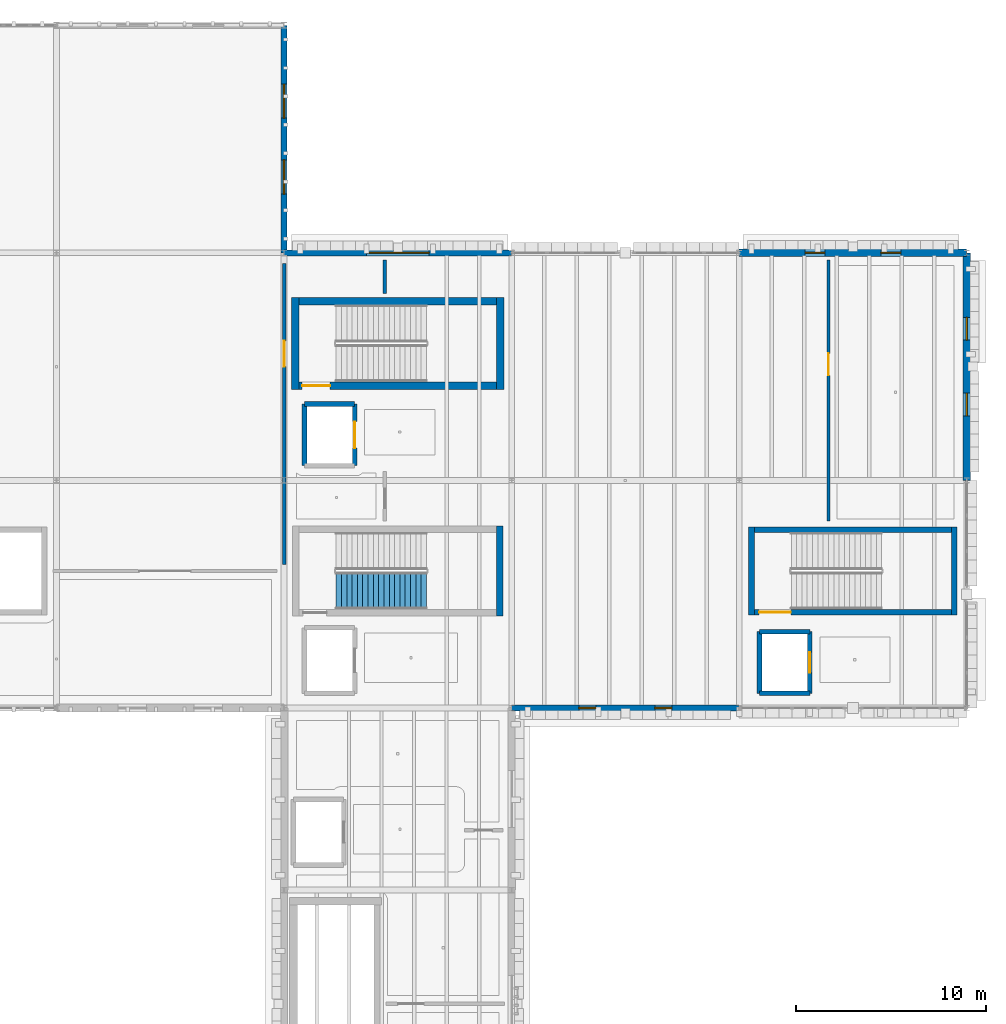
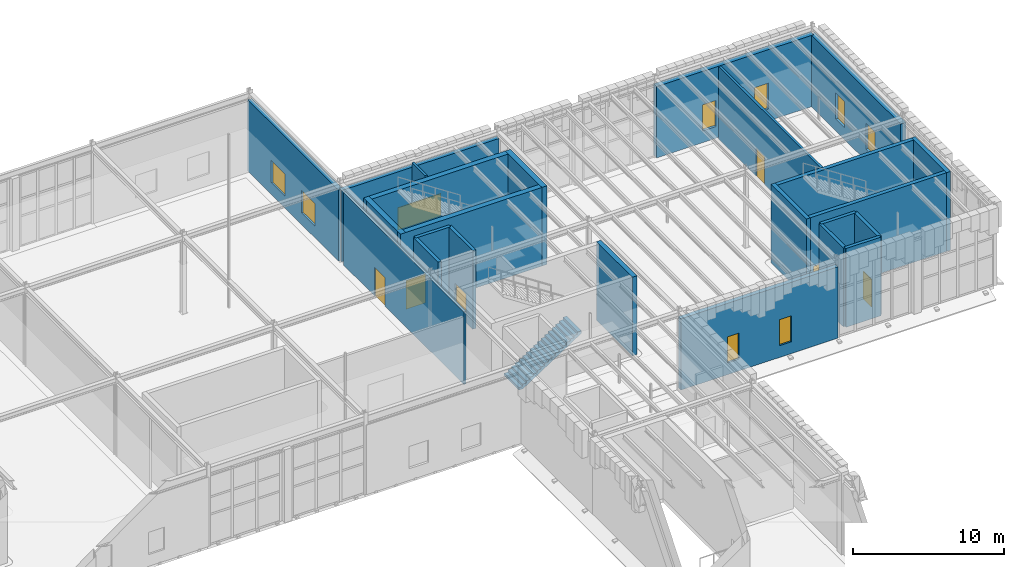
# One storey, part 42 of 62: 24 walls, 9 windows, 6 doors, 1 stair flight, 15 openings, 1 element without a shape of its own.
"""IFC4 building model written with IfcOpenShell, lengths in metres."""

from ifc_helpers import new_model, si_unit, direction, frame, frame_2d, origin, place, context, subcontext, project, spatial, polyline, rectangle, outline, extrude, material, layer, layer_set, type_object, element, fill, aggregate, save


model = new_model("IFC4")

# Units and contexts
model_context = context("Model", 3, precision=1e-05, world=origin(), true_north=direction((0.0, 1.0)))
body_context = subcontext(model_context, "Body", "Model", "MODEL_VIEW")
ifc_project = project(units=[si_unit("LENGTHUNIT", "METRE"), si_unit("AREAUNIT", "SQUARE_METRE"), si_unit("VOLUMEUNIT", "CUBIC_METRE"), si_unit("PLANEANGLEUNIT", "RADIAN"), si_unit("MASSUNIT", "GRAM", prefix="KILO")], contexts=[model_context])

# Site, building, storey
site_placement = place(None, origin())
site = spatial("IfcSite", under=ifc_project, at=site_placement, CompositionType="ELEMENT")
building_placement = place(site_placement, origin())
building = spatial("IfcBuilding", under=site, at=building_placement, Name="Zlatogorsky Bluff Art Gallery", CompositionType="ELEMENT")
storey_placement = place(building_placement, frame((0.0, 0.0, 16.800048828125)))
storey = spatial("IfcBuildingStorey", under=building, at=storey_placement, Name="L03", CompositionType="ELEMENT", Elevation=16.800048828125)

# Wall, openings, windows
ifc_material_1 = material(Name="Precast concrete C40/50", Category="concrete")
ifc_layer_1 = layer(ifc_material_1, 0.39990234375)
ifc_layer_set_1 = layer_set([ifc_layer_1], Name="Exterior Wall EW-02 400mm")
wall_type_1 = type_object("IfcWallType", Name="Exterior Wall EW-02 400mm", PredefinedType="SOLIDWALL", material=ifc_layer_set_1)
wall_1_placement = place(storey_placement, frame((156.0, 108.0, 0.0), z_axis=(0.0, 0.0, 1.0), x_axis=(-1.0, 0.0, 0.0)))
wall_1 = element("IfcWall", 1, at=wall_1_placement, inside=storey, type_object=wall_type_1, Name="Exterior wall EW-02 L03 N 12.9", PredefinedType="SOLIDWALL", context=body_context, shape_type="SweptSolid", body=[
    extrude(rectangle(XDim=12.0, YDim=0.39990234375, at=frame_2d((6.0, 0.0))), origin(), (0.0, 0.0, 1.0), 5.75),
])
opening_1_placement = place(wall_1_placement, frame((3.47509765625, 0.0, 0.949951171875)))
opening_1 = element("IfcOpeningElement", 2, at=opening_1_placement, cuts=wall_1, Name="Opening WN-26", PredefinedType="OPENING", context=body_context, shape_type="SweptSolid", body=[
    extrude(rectangle(XDim=1.050048828125, YDim=2.10009765625, at=frame_2d((0.52490234375, 1.050048828125))), frame((0.0, 0.2099609375, 0.0), z_axis=(0.0, -1.0, 0.0), x_axis=(1.0, 0.0, 0.0)), (0.0, 0.0, 1.0), 0.419921875),
])
opening_2_placement = place(wall_1_placement, frame((7.47509765625, 0.0, 0.949951171875)))
opening_2 = element("IfcOpeningElement", 3, at=opening_2_placement, cuts=wall_1, Name="Opening WN-26", PredefinedType="OPENING", context=body_context, shape_type="SweptSolid", body=[
    extrude(rectangle(XDim=1.050048828125, YDim=2.10009765625, at=frame_2d((0.52490234375, 1.050048828125))), frame((0.0, 0.2099609375, 0.0), z_axis=(0.0, -1.0, 0.0), x_axis=(1.0, 0.0, 0.0)), (0.0, 0.0, 1.0), 0.419921875),
])
ifc_material_2 = material(Name="Bronze-Anodised Aluminium Triple Glazing", Category="aluminium")
window_type_1 = type_object("IfcWindowType", Name="Pointed-Reveal Window WN-26 1050x2100", PartitioningType="SINGLE_PANEL", PredefinedType="WINDOW", material=ifc_material_2)
window_1_placement = place(opening_1_placement, origin())
window_1 = element("IfcWindow", 4, at=window_1_placement, inside=storey, type_object=window_type_1, Name="Window WN-26 L03.N.12.9.1", OverallHeight=2.10009765625, OverallWidth=1.050048828125, PartitioningType="SINGLE_PANEL", PredefinedType="WINDOW", context=body_context, shape_type="SweptSolid", body=[
    extrude(rectangle(XDim=1.050048828125, YDim=2.10009765625, at=frame_2d((0.52490234375, 1.050048828125))), frame((0.0, 0.030029296875, 0.0), z_axis=(0.0, -1.0, 0.0), x_axis=(1.0, 0.0, 0.0)), (0.0, 0.0, 1.0), 0.06005859375),
])
fill(opening_1, window_1)
window_2_placement = place(opening_2_placement, origin())
window_2 = element("IfcWindow", 5, at=window_2_placement, inside=storey, type_object=window_type_1, Name="Window WN-26 L03.N.12.9.2", OverallHeight=2.10009765625, OverallWidth=1.050048828125, PartitioningType="SINGLE_PANEL", PredefinedType="WINDOW", context=body_context, shape_type="SweptSolid", body=[
    extrude(rectangle(XDim=1.050048828125, YDim=2.10009765625, at=frame_2d((0.52490234375, 1.050048828125))), frame((0.0, 0.030029296875, 0.0), z_axis=(0.0, -1.0, 0.0), x_axis=(1.0, 0.0, 0.0)), (0.0, 0.0, 1.0), 0.06005859375),
])
fill(opening_2, window_2)

wall_2_placement = place(storey_placement, frame((156.0, 96.0, 0.0), z_axis=(0.0, 0.0, 1.0), x_axis=(0.0, 1.0, 0.0)))
wall_2 = element("IfcWall", 6, at=wall_2_placement, inside=storey, type_object=wall_type_1, Name="Exterior wall EW-02 L03 E 12.9", PredefinedType="SOLIDWALL", context=body_context, shape_type="SweptSolid", body=[
    extrude(rectangle(XDim=12.0, YDim=0.39990234375, at=frame_2d((6.0, 0.0))), origin(), (0.0, 0.0, 1.0), 5.75),
])
opening_3_placement = place(wall_2_placement, frame((3.39990234375, 0.0, 0.949951171875)))
opening_3 = element("IfcOpeningElement", 7, at=opening_3_placement, cuts=wall_2, Name="Opening WN-27", PredefinedType="OPENING", context=body_context, shape_type="SweptSolid", body=[
    extrude(rectangle(XDim=1.199951171875, YDim=2.10009765625, at=frame_2d((0.60009765625, 1.050048828125))), frame((0.0, 0.2099609375, 0.0), z_axis=(0.0, -1.0, 0.0), x_axis=(1.0, 0.0, 0.0)), (0.0, 0.0, 1.0), 0.419921875),
])
opening_4_placement = place(wall_2_placement, frame((7.39990234375, 0.0, 0.949951171875)))
opening_4 = element("IfcOpeningElement", 8, at=opening_4_placement, cuts=wall_2, Name="Opening WN-27", PredefinedType="OPENING", context=body_context, shape_type="SweptSolid", body=[
    extrude(rectangle(XDim=1.199951171875, YDim=2.10009765625, at=frame_2d((0.60009765625, 1.050048828125))), frame((0.0, 0.2099609375, 0.0), z_axis=(0.0, -1.0, 0.0), x_axis=(1.0, 0.0, 0.0)), (0.0, 0.0, 1.0), 0.419921875),
])
window_type_2 = type_object("IfcWindowType", Name="Pointed-Reveal Window WN-27 1200x2100", PartitioningType="SINGLE_PANEL", PredefinedType="WINDOW", material=ifc_material_2)
window_3_placement = place(opening_3_placement, origin())
window_3 = element("IfcWindow", 9, at=window_3_placement, inside=storey, type_object=window_type_2, Name="Window WN-27 L03.E.12.9.1", OverallHeight=2.10009765625, OverallWidth=1.199951171875, PartitioningType="SINGLE_PANEL", PredefinedType="WINDOW", context=body_context, shape_type="SweptSolid", body=[
    extrude(rectangle(XDim=1.199951171875, YDim=2.10009765625, at=frame_2d((0.60009765625, 1.050048828125))), frame((0.0, 0.030029296875, 0.0), z_axis=(0.0, -1.0, 0.0), x_axis=(1.0, 0.0, 0.0)), (0.0, 0.0, 1.0), 0.06005859375),
])
fill(opening_3, window_3)
window_4_placement = place(opening_4_placement, origin())
window_4 = element("IfcWindow", 10, at=window_4_placement, inside=storey, type_object=window_type_2, Name="Window WN-27 L03.E.12.9.2", OverallHeight=2.10009765625, OverallWidth=1.199951171875, PartitioningType="SINGLE_PANEL", PredefinedType="WINDOW", context=body_context, shape_type="SweptSolid", body=[
    extrude(rectangle(XDim=1.199951171875, YDim=2.10009765625, at=frame_2d((0.60009765625, 1.050048828125))), frame((0.0, 0.030029296875, 0.0), z_axis=(0.0, -1.0, 0.0), x_axis=(1.0, 0.0, 0.0)), (0.0, 0.0, 1.0), 0.06005859375),
])
fill(opening_4, window_4)

ifc_layer_2 = layer(ifc_material_1, 0.320068359375)
ifc_layer_set_2 = layer_set([ifc_layer_2], Name="Exterior Wall EW-04 320mm")
wall_type_2 = type_object("IfcWallType", Name="Exterior Wall EW-04 320mm", PredefinedType="SOLIDWALL", material=ifc_layer_set_2)
wall_3_placement = place(storey_placement, frame((120.0, 108.0, 0.0), z_axis=(0.0, 0.0, 1.0), x_axis=(0.0, 1.0, 0.0)))
wall_3 = element("IfcWall", 11, at=wall_3_placement, inside=storey, type_object=wall_type_2, Name="Exterior wall EW-04 L03 E 9.10", PredefinedType="SOLIDWALL", context=body_context, shape_type="SweptSolid", body=[
    extrude(rectangle(XDim=12.0, YDim=0.320068359375, at=frame_2d((6.0, 0.0))), origin(), (0.0, 0.0, 1.0), 5.75),
])
opening_5_placement = place(wall_3_placement, frame((3.10009765625, 0.0, 0.949951171875)))
opening_5 = element("IfcOpeningElement", 12, at=opening_5_placement, cuts=wall_3, Name="Opening WN-19", PredefinedType="OPENING", context=body_context, shape_type="SweptSolid", body=[
    extrude(rectangle(XDim=1.800048828125, YDim=1.800048828125, at=frame_2d((0.89990234375, 0.89990234375))), frame((0.0, 0.169921875, 0.0), z_axis=(0.0, -1.0, 0.0), x_axis=(1.0, 0.0, 0.0)), (0.0, 0.0, 1.0), 0.340087890625),
])
opening_6_placement = place(wall_3_placement, frame((7.10009765625, 0.0, 0.949951171875)))
opening_6 = element("IfcOpeningElement", 13, at=opening_6_placement, cuts=wall_3, Name="Opening WN-19", PredefinedType="OPENING", context=body_context, shape_type="SweptSolid", body=[
    extrude(rectangle(XDim=1.800048828125, YDim=1.800048828125, at=frame_2d((0.89990234375, 0.89990234375))), frame((0.0, 0.169921875, 0.0), z_axis=(0.0, -1.0, 0.0), x_axis=(1.0, 0.0, 0.0)), (0.0, 0.0, 1.0), 0.340087890625),
])
window_type_3 = type_object("IfcWindowType", Name="Pointed-Reveal Window WN-19 1800x1800", PartitioningType="SINGLE_PANEL", PredefinedType="WINDOW", material=ifc_material_2)
window_5_placement = place(opening_5_placement, origin())
window_5 = element("IfcWindow", 14, at=window_5_placement, inside=storey, type_object=window_type_3, Name="Window WN-19 L03.E.9.10.1", OverallHeight=1.800048828125, OverallWidth=1.800048828125, PartitioningType="SINGLE_PANEL", PredefinedType="WINDOW", context=body_context, shape_type="SweptSolid", body=[
    extrude(rectangle(XDim=1.800048828125, YDim=1.800048828125, at=frame_2d((0.89990234375, 0.89990234375))), frame((0.0, 0.030029296875, 0.0), z_axis=(0.0, -1.0, 0.0), x_axis=(1.0, 0.0, 0.0)), (0.0, 0.0, 1.0), 0.06005859375),
])
fill(opening_5, window_5)
window_6_placement = place(opening_6_placement, origin())
window_6 = element("IfcWindow", 15, at=window_6_placement, inside=storey, type_object=window_type_3, Name="Window WN-19 L03.E.9.10.2", OverallHeight=1.800048828125, OverallWidth=1.800048828125, PartitioningType="SINGLE_PANEL", PredefinedType="WINDOW", context=body_context, shape_type="SweptSolid", body=[
    extrude(rectangle(XDim=1.800048828125, YDim=1.800048828125, at=frame_2d((0.89990234375, 0.89990234375))), frame((0.0, 0.030029296875, 0.0), z_axis=(0.0, -1.0, 0.0), x_axis=(1.0, 0.0, 0.0)), (0.0, 0.0, 1.0), 0.06005859375),
])
fill(opening_6, window_6)

# Wall, opening, window
wall_4_placement = place(storey_placement, frame((132.0, 108.0, 0.0), z_axis=(0.0, 0.0, 1.0), x_axis=(-1.0, 0.0, 0.0)))
wall_4 = element("IfcWall", 16, at=wall_4_placement, inside=storey, type_object=wall_type_2, Name="Exterior wall EW-04 L03 N 10.9", PredefinedType="SOLIDWALL", context=body_context, shape_type="SweptSolid", body=[
    extrude(rectangle(XDim=12.0, YDim=0.320068359375, at=frame_2d((6.0, 0.0))), origin(), (0.0, 0.0, 1.0), 5.75),
])
opening_7_placement = place(wall_4_placement, frame((4.35009765625, 0.0, 0.949951171875)))
opening_7 = element("IfcOpeningElement", 17, at=opening_7_placement, cuts=wall_4, Name="Opening WN-24", PredefinedType="OPENING", context=body_context, shape_type="SweptSolid", body=[
    extrude(rectangle(XDim=3.300048828125, YDim=1.800048828125, at=frame_2d((1.64990234375, 0.89990234375))), frame((0.0, 0.169921875, 0.0), z_axis=(0.0, -1.0, 0.0), x_axis=(1.0, 0.0, 0.0)), (0.0, 0.0, 1.0), 0.340087890625),
])
window_type_4 = type_object("IfcWindowType", Name="Pointed-Reveal Window WN-24 3300x1800", PartitioningType="SINGLE_PANEL", PredefinedType="WINDOW", material=ifc_material_2)
window_7_placement = place(opening_7_placement, origin())
window_7 = element("IfcWindow", 18, at=window_7_placement, inside=storey, type_object=window_type_4, Name="Window WN-24 L03.N.10.9.1", OverallHeight=1.800048828125, OverallWidth=3.300048828125, PartitioningType="SINGLE_PANEL", PredefinedType="WINDOW", context=body_context, shape_type="SweptSolid", body=[
    extrude(rectangle(XDim=3.300048828125, YDim=1.800048828125, at=frame_2d((1.64990234375, 0.89990234375))), frame((0.0, 0.030029296875, 0.0), z_axis=(0.0, -1.0, 0.0), x_axis=(1.0, 0.0, 0.0)), (0.0, 0.0, 1.0), 0.06005859375),
])
fill(opening_7, window_7)

# Wall, openings, windows
wall_5_placement = place(storey_placement, frame((132.0, 84.0, 0.0), z_axis=(0.0, 0.0, 1.0), x_axis=(1.0, 0.0, 0.0)))
wall_5 = element("IfcWall", 19, at=wall_5_placement, inside=storey, type_object=wall_type_2, Name="Exterior wall EW-04 L03 S 11.8", PredefinedType="SOLIDWALL", context=body_context, shape_type="SweptSolid", body=[
    extrude(rectangle(XDim=12.0, YDim=0.320068359375, at=frame_2d((6.0, 0.0))), origin(), (0.0, 0.0, 1.0), 5.75),
])
opening_8_placement = place(wall_5_placement, frame((3.550048828125, 0.0, 0.949951171875)))
opening_8 = element("IfcOpeningElement", 20, at=opening_8_placement, cuts=wall_5, Name="Opening WN-25", PredefinedType="OPENING", context=body_context, shape_type="SweptSolid", body=[
    extrude(rectangle(XDim=0.89990234375, YDim=2.10009765625, at=frame_2d((0.449951171875, 1.050048828125))), frame((0.0, 0.169921875, 0.0), z_axis=(0.0, -1.0, 0.0), x_axis=(1.0, 0.0, 0.0)), (0.0, 0.0, 1.0), 0.340087890625),
])
opening_9_placement = place(wall_5_placement, frame((7.550048828125, 0.0, 0.949951171875)))
opening_9 = element("IfcOpeningElement", 21, at=opening_9_placement, cuts=wall_5, Name="Opening WN-25", PredefinedType="OPENING", context=body_context, shape_type="SweptSolid", body=[
    extrude(rectangle(XDim=0.89990234375, YDim=2.10009765625, at=frame_2d((0.449951171875, 1.050048828125))), frame((0.0, 0.169921875, 0.0), z_axis=(0.0, -1.0, 0.0), x_axis=(1.0, 0.0, 0.0)), (0.0, 0.0, 1.0), 0.340087890625),
])
window_type_5 = type_object("IfcWindowType", Name="Pointed-Reveal Window WN-25 900x2100", PartitioningType="SINGLE_PANEL", PredefinedType="WINDOW", material=ifc_material_2)
window_8_placement = place(opening_8_placement, origin())
window_8 = element("IfcWindow", 22, at=window_8_placement, inside=storey, type_object=window_type_5, Name="Window WN-25 L03.S.11.8.1", OverallHeight=2.10009765625, OverallWidth=0.89990234375, PartitioningType="SINGLE_PANEL", PredefinedType="WINDOW", context=body_context, shape_type="SweptSolid", body=[
    extrude(rectangle(XDim=0.89990234375, YDim=2.10009765625, at=frame_2d((0.449951171875, 1.050048828125))), frame((0.0, 0.030029296875, 0.0), z_axis=(0.0, -1.0, 0.0), x_axis=(1.0, 0.0, 0.0)), (0.0, 0.0, 1.0), 0.06005859375),
])
fill(opening_8, window_8)
window_9_placement = place(opening_9_placement, origin())
window_9 = element("IfcWindow", 23, at=window_9_placement, inside=storey, type_object=window_type_5, Name="Window WN-25 L03.S.11.8.2", OverallHeight=2.10009765625, OverallWidth=0.89990234375, PartitioningType="SINGLE_PANEL", PredefinedType="WINDOW", context=body_context, shape_type="SweptSolid", body=[
    extrude(rectangle(XDim=0.89990234375, YDim=2.10009765625, at=frame_2d((0.449951171875, 1.050048828125))), frame((0.0, 0.030029296875, 0.0), z_axis=(0.0, -1.0, 0.0), x_axis=(1.0, 0.0, 0.0)), (0.0, 0.0, 1.0), 0.06005859375),
])
fill(opening_9, window_9)

# Wall, opening, door
ifc_material_3 = material(Name="Concrete C30/37", Category="concrete")
ifc_layer_3 = layer(ifc_material_3, 0.179931640625)
ifc_layer_set_3 = layer_set([ifc_layer_3], Name="Interior Wall IW-02 180mm")
wall_type_3 = type_object("IfcWallType", Name="Interior Wall IW-02 180mm", PredefinedType="PARTITIONING", material=ifc_layer_set_3)
wall_6_placement = place(storey_placement, frame((120.0, 91.5625, 0.0), z_axis=(0.0, 0.0, 1.0), x_axis=(0.0, 1.0, 0.0)))
wall_6 = element("IfcWall", 24, at=wall_6_placement, inside=storey, type_object=wall_type_3, Name="Partition IW-02 between L03-G3-12 and L03-CU-11", PredefinedType="PARTITIONING", context=body_context, shape_type="SweptSolid", body=[
    extrude(rectangle(XDim=15.880126953125, YDim=0.179931640625, at=frame_2d((7.93994140625, 0.0))), origin(), (0.0, 0.0, 1.0), 5.869873046875),
])
opening_10_placement = place(wall_6_placement, frame((10.44091796875, 0.0, 0.0)))
opening_10 = element("IfcOpeningElement", 25, at=opening_10_placement, cuts=wall_6, Name="Opening ID-08", PredefinedType="OPENING", context=body_context, shape_type="SweptSolid", body=[
    extrude(rectangle(XDim=1.35009765625, YDim=2.300048828125, at=frame_2d((0.675048828125, 1.14990234375))), frame((0.0, 0.099853515625, 0.0), z_axis=(0.0, -1.0, 0.0), x_axis=(1.0, 0.0, 0.0)), (0.0, 0.0, 1.0), 0.199951171875),
])
ifc_material_4 = material(Name="Anodised Aluminium and Laminated Timber", Category="wood")
door_type_1 = type_object("IfcDoorType", Name="Interior Door ID-08 1350x2300", OperationType="DOUBLE_SWING_LEFT", PredefinedType="DOOR", material=ifc_material_4)
door_1_placement = place(opening_10_placement, origin())
door_1 = element("IfcDoor", 26, at=door_1_placement, inside=storey, type_object=door_type_1, Name="Door ID-08 L03-G3-12-L03-CU-11", OperationType="DOUBLE_SWING_LEFT", OverallHeight=2.300048828125, OverallWidth=1.35009765625, PredefinedType="DOOR", context=body_context, shape_type="SweptSolid", body=[
    extrude(rectangle(XDim=1.35009765625, YDim=2.300048828125, at=frame_2d((0.675048828125, 1.14990234375))), frame((0.0, 0.02490234375, 0.0), z_axis=(0.0, -1.0, 0.0), x_axis=(1.0, 0.0, 0.0)), (0.0, 0.0, 1.0), 0.050048828125),
])
fill(opening_10, door_1)

# Wall
wall_7_placement = place(storey_placement, frame((125.304931640625, 105.8701171875, 0.0), z_axis=(0.0, 0.0, 1.0), x_axis=(0.0, 1.0, 0.0)))
element("IfcWall", 27, at=wall_7_placement, inside=storey, type_object=wall_type_3, Name="Partition IW-02 between L03-CU-11 and L03-CU-12-S2", PredefinedType="PARTITIONING", context=body_context, shape_type="SweptSolid", body=[
    extrude(rectangle(XDim=1.75, YDim=0.179931640625, at=frame_2d((0.875, 0.0))), origin(), (0.0, 0.0, 1.0), 6.31005859375),
])

# Wall, opening, door
wall_8_placement = place(storey_placement, frame((148.710693359375, 93.8701171875, 0.0), z_axis=(0.0, 0.0, 1.0), x_axis=(0.0, 1.0, 0.0)))
wall_8 = element("IfcWall", 28, at=wall_8_placement, inside=storey, type_object=wall_type_3, Name="Partition IW-02 between L03-CU-12 and L03-CU-13", PredefinedType="PARTITIONING", context=body_context, shape_type="SweptSolid", body=[
    extrude(rectangle(XDim=13.75, YDim=0.179931640625, at=frame_2d((6.875, 0.0))), origin(), (0.0, 0.0, 1.0), 5.869873046875),
])
opening_11_placement = place(wall_8_placement, frame((7.675048828125, 0.0, 0.0)))
opening_11 = element("IfcOpeningElement", 29, at=opening_11_placement, cuts=wall_8, Name="Opening ID-06", PredefinedType="OPENING", context=body_context, shape_type="SweptSolid", body=[
    extrude(rectangle(XDim=1.14990234375, YDim=2.25, at=frame_2d((0.574951171875, 1.125))), frame((0.0, 0.099853515625, 0.0), z_axis=(0.0, -1.0, 0.0), x_axis=(1.0, 0.0, 0.0)), (0.0, 0.0, 1.0), 0.199951171875),
])
door_type_2 = type_object("IfcDoorType", Name="Interior Door ID-06 1150x2250", OperationType="SINGLE_SWING_LEFT", PredefinedType="DOOR", material=ifc_material_4)
door_2_placement = place(opening_11_placement, origin())
door_2 = element("IfcDoor", 30, at=door_2_placement, inside=storey, type_object=door_type_2, Name="Door ID-06 L03-CU-12-L03-CU-13", OperationType="SINGLE_SWING_LEFT", OverallHeight=2.25, OverallWidth=1.14990234375, PredefinedType="DOOR", context=body_context, shape_type="SweptSolid", body=[
    extrude(rectangle(XDim=1.14990234375, YDim=2.25, at=frame_2d((0.574951171875, 1.125))), frame((0.0, 0.02490234375, 0.0), z_axis=(0.0, -1.0, 0.0), x_axis=(1.0, 0.0, 0.0)), (0.0, 0.0, 1.0), 0.050048828125),
])
fill(opening_11, door_2)

ifc_material_5 = material(Name="Concrete C35/45", Category="concrete")
ifc_layer_4 = layer(ifc_material_5, 0.25)
ifc_layer_set_4 = layer_set([ifc_layer_4], Name="Interior Wall IW-05 250mm")
wall_type_4 = type_object("IfcWallType", Name="Interior Wall IW-05 250mm", PredefinedType="SOLIDWALL", material=ifc_layer_set_4)
wall_9_placement = place(storey_placement, frame((123.72509765625, 96.77490234375, 0.0), z_axis=(0.0, 0.0, 1.0), x_axis=(0.0, 1.0, 0.0)))
wall_9 = element("IfcWall", 31, at=wall_9_placement, inside=storey, type_object=wall_type_4, Name="Lift PL-1 shaft wall L03 E", PredefinedType="SOLIDWALL", context=body_context, shape_type="SweptSolid", body=[
    extrude(rectangle(XDim=3.25, YDim=0.25, at=frame_2d((1.625, 0.0))), origin(), (0.0, 0.0, 1.0), 6.349853515625),
])
opening_12_placement = place(wall_9_placement, frame((0.925048828125, 0.0, 0.0)))
opening_12 = element("IfcOpeningElement", 32, at=opening_12_placement, cuts=wall_9, Name="Opening LD-03", PredefinedType="OPENING", context=body_context, shape_type="SweptSolid", body=[
    extrude(rectangle(XDim=1.39990234375, YDim=2.300048828125, at=frame_2d((0.699951171875, 1.14990234375))), frame((0.0, 0.135009765625, 0.0), z_axis=(0.0, -1.0, 0.0), x_axis=(1.0, 0.0, 0.0)), (0.0, 0.0, 1.0), 0.27001953125),
])
door_type_3 = type_object("IfcDoorType", Name="Interior Door LD-03 1400x2300", OperationType="SLIDING_TO_LEFT", PredefinedType="DOOR", material=ifc_material_4)
door_3_placement = place(opening_12_placement, origin())
door_3 = element("IfcDoor", 33, at=door_3_placement, inside=storey, type_object=door_type_3, Name="Lift PL-1 sliding landing door L03", OperationType="SLIDING_TO_LEFT", OverallHeight=2.300048828125, OverallWidth=1.39990234375, PredefinedType="DOOR", context=body_context, shape_type="SweptSolid", body=[
    extrude(rectangle(XDim=1.39990234375, YDim=2.300048828125, at=frame_2d((0.699951171875, 1.14990234375))), frame((0.0, 0.02490234375, 0.0), z_axis=(0.0, -1.0, 0.0), x_axis=(1.0, 0.0, 0.0)), (0.0, 0.0, 1.0), 0.050048828125),
])
fill(opening_12, door_3)

# Walls
wall_10_placement = place(storey_placement, frame((123.72509765625, 100.02490234375, 0.0), z_axis=(0.0, 0.0, 1.0), x_axis=(-1.0, 0.0, 0.0)))
element("IfcWall", 34, at=wall_10_placement, inside=storey, type_object=wall_type_4, Name="Lift PL-1 shaft wall L03 N", PredefinedType="SOLIDWALL", context=body_context, shape_type="SweptSolid", body=[
    extrude(rectangle(XDim=2.650146484375, YDim=0.25, at=frame_2d((1.3251953125, 0.0))), origin(), (0.0, 0.0, 1.0), 6.349853515625),
])
wall_11_placement = place(storey_placement, frame((121.074951171875, 100.02490234375, 0.0), z_axis=(0.0, 0.0, 1.0), x_axis=(0.0, -1.0, 0.0)))
element("IfcWall", 35, at=wall_11_placement, inside=storey, type_object=wall_type_4, Name="Lift PL-1 shaft wall L03 W", PredefinedType="SOLIDWALL", context=body_context, shape_type="SweptSolid", body=[
    extrude(rectangle(XDim=3.25, YDim=0.25, at=frame_2d((1.625, 0.0))), origin(), (0.0, 0.0, 1.0), 6.349853515625),
])
wall_12_placement = place(storey_placement, frame((145.074951171875, 84.77490234375, 0.0), z_axis=(0.0, 0.0, 1.0), x_axis=(1.0, 0.0, 0.0)))
element("IfcWall", 36, at=wall_12_placement, inside=storey, type_object=wall_type_4, Name="Lift PL-2 shaft wall L03 S", PredefinedType="SOLIDWALL", context=body_context, shape_type="SweptSolid", body=[
    extrude(rectangle(XDim=2.650146484375, YDim=0.25, at=frame_2d((1.3251953125, 0.0))), origin(), (0.0, 0.0, 1.0), 6.349853515625),
])

# Wall, opening, door
wall_13_placement = place(storey_placement, frame((147.72509765625, 84.77490234375, 0.0), z_axis=(0.0, 0.0, 1.0), x_axis=(0.0, 1.0, 0.0)))
wall_13 = element("IfcWall", 37, at=wall_13_placement, inside=storey, type_object=wall_type_4, Name="Lift PL-2 shaft wall L03 E", PredefinedType="SOLIDWALL", context=body_context, shape_type="SweptSolid", body=[
    extrude(rectangle(XDim=3.25, YDim=0.25, at=frame_2d((1.625, 0.0))), origin(), (0.0, 0.0, 1.0), 6.349853515625),
])
opening_13_placement = place(wall_13_placement, frame((1.074951171875, 0.0, 0.0)))
opening_13 = element("IfcOpeningElement", 38, at=opening_13_placement, cuts=wall_13, Name="Opening LD-01", PredefinedType="OPENING", context=body_context, shape_type="SweptSolid", body=[
    extrude(rectangle(XDim=1.10009765625, YDim=2.199951171875, at=frame_2d((0.550048828125, 1.10009765625))), frame((0.0, 0.135009765625, 0.0), z_axis=(0.0, -1.0, 0.0), x_axis=(1.0, 0.0, 0.0)), (0.0, 0.0, 1.0), 0.27001953125),
])
door_type_4 = type_object("IfcDoorType", Name="Interior Door LD-01 1100x2200", OperationType="SLIDING_TO_LEFT", PredefinedType="DOOR", material=ifc_material_4)
door_4_placement = place(opening_13_placement, origin())
door_4 = element("IfcDoor", 39, at=door_4_placement, inside=storey, type_object=door_type_4, Name="Lift PL-2 sliding landing door L03", OperationType="SLIDING_TO_LEFT", OverallHeight=2.199951171875, OverallWidth=1.10009765625, PredefinedType="DOOR", context=body_context, shape_type="SweptSolid", body=[
    extrude(rectangle(XDim=1.10009765625, YDim=2.199951171875, at=frame_2d((0.550048828125, 1.10009765625))), frame((0.0, 0.02490234375, 0.0), z_axis=(0.0, -1.0, 0.0), x_axis=(1.0, 0.0, 0.0)), (0.0, 0.0, 1.0), 0.050048828125),
])
fill(opening_13, door_4)

# Walls
wall_14_placement = place(storey_placement, frame((147.72509765625, 88.02490234375, 0.0), z_axis=(0.0, 0.0, 1.0), x_axis=(-1.0, 0.0, 0.0)))
element("IfcWall", 40, at=wall_14_placement, inside=storey, type_object=wall_type_4, Name="Lift PL-2 shaft wall L03 N", PredefinedType="SOLIDWALL", context=body_context, shape_type="SweptSolid", body=[
    extrude(rectangle(XDim=2.650146484375, YDim=0.25, at=frame_2d((1.3251953125, 0.0))), origin(), (0.0, 0.0, 1.0), 6.349853515625),
])
wall_15_placement = place(storey_placement, frame((145.074951171875, 88.02490234375, 0.0), z_axis=(0.0, 0.0, 1.0), x_axis=(0.0, -1.0, 0.0)))
element("IfcWall", 41, at=wall_15_placement, inside=storey, type_object=wall_type_4, Name="Lift PL-2 shaft wall L03 W", PredefinedType="SOLIDWALL", context=body_context, shape_type="SweptSolid", body=[
    extrude(rectangle(XDim=3.25, YDim=0.25, at=frame_2d((1.625, 0.0))), origin(), (0.0, 0.0, 1.0), 6.349853515625),
])

# Wall, opening, door
ifc_layer_5 = layer(ifc_material_5, 0.300048828125)
ifc_layer_set_5 = layer_set([ifc_layer_5], Name="Interior Wall SW-01 300mm")
wall_type_5 = type_object("IfcWallType", Name="Interior Wall SW-01 300mm", PredefinedType="SHEAR", material=ifc_layer_set_5)
wall_16_placement = place(storey_placement, frame((144.5, 89.050048828125, 0.0), z_axis=(0.0, 0.0, 1.0), x_axis=(1.0, 0.0, 0.0)))
wall_16 = element("IfcWall", 42, at=wall_16_placement, inside=storey, type_object=wall_type_5, Name="Stair ST-04 enclosure wall L03 W0", PredefinedType="SHEAR", context=body_context, shape_type="SweptSolid", body=[
    extrude(rectangle(XDim=11.0, YDim=0.300048828125, at=frame_2d((5.5, 0.0))), origin(), (0.0, 0.0, 1.0), 6.349853515625),
])
opening_14_placement = place(wall_16_placement, frame((0.550048828125, 0.0, 0.0)))
opening_14 = element("IfcOpeningElement", 43, at=opening_14_placement, cuts=wall_16, Name="Opening FD-04", PredefinedType="OPENING", context=body_context, shape_type="SweptSolid", body=[
    extrude(rectangle(XDim=1.679931640625, YDim=2.35009765625, at=frame_2d((0.83984375, 1.175048828125))), frame((0.0, 0.159912109375, 0.0), z_axis=(0.0, -1.0, 0.0), x_axis=(1.0, 0.0, 0.0)), (0.0, 0.0, 1.0), 0.320068359375),
])
door_type_5 = type_object("IfcDoorType", Name="Interior Door FD-04 1680x2350", OperationType="DOUBLE_DOOR_SINGLE_SWING", PredefinedType="DOOR", material=ifc_material_4)
door_5_placement = place(opening_14_placement, origin())
door_5 = element("IfcDoor", 44, at=door_5_placement, inside=storey, type_object=door_type_5, Name="Stair ST-04 fire door L03", OperationType="DOUBLE_DOOR_SINGLE_SWING", OverallHeight=2.35009765625, OverallWidth=1.679931640625, PredefinedType="DOOR", context=body_context, shape_type="SweptSolid", body=[
    extrude(rectangle(XDim=1.679931640625, YDim=2.35009765625, at=frame_2d((0.83984375, 1.175048828125))), frame((0.0, 0.02490234375, 0.0), z_axis=(0.0, -1.0, 0.0), x_axis=(1.0, 0.0, 0.0)), (0.0, 0.0, 1.0), 0.050048828125),
])
fill(opening_14, door_5)

# Walls
wall_17_placement = place(storey_placement, frame((155.35009765625, 88.89990234375, 0.0), z_axis=(0.0, 0.0, 1.0), x_axis=(0.0, 1.0, 0.0)))
element("IfcWall", 45, at=wall_17_placement, inside=storey, type_object=wall_type_5, Name="Stair ST-04 enclosure wall L03 FEND", PredefinedType="SHEAR", context=body_context, shape_type="SweptSolid", body=[
    extrude(rectangle(XDim=4.650146484375, YDim=0.300048828125, at=frame_2d((2.3251953125, 0.0))), origin(), (0.0, 0.0, 1.0), 6.349853515625),
])
wall_18_placement = place(storey_placement, frame((155.5, 93.39990234375, 0.0), z_axis=(0.0, 0.0, 1.0), x_axis=(-1.0, 0.0, 0.0)))
element("IfcWall", 46, at=wall_18_placement, inside=storey, type_object=wall_type_5, Name="Stair ST-04 enclosure wall L03 W1", PredefinedType="SHEAR", context=body_context, shape_type="SweptSolid", body=[
    extrude(rectangle(XDim=11.0, YDim=0.300048828125, at=frame_2d((5.5, 0.0))), origin(), (0.0, 0.0, 1.0), 6.349853515625),
])
wall_19_placement = place(storey_placement, frame((144.64990234375, 93.550048828125, 0.0), z_axis=(0.0, 0.0, 1.0), x_axis=(0.0, -1.0, 0.0)))
element("IfcWall", 47, at=wall_19_placement, inside=storey, type_object=wall_type_5, Name="Stair ST-04 enclosure wall L03 LEND", PredefinedType="SHEAR", context=body_context, shape_type="SweptSolid", body=[
    extrude(rectangle(XDim=4.650146484375, YDim=0.300048828125, at=frame_2d((2.3251953125, 0.0))), origin(), (0.0, 0.0, 1.0), 6.349853515625),
])
ifc_layer_6 = layer(ifc_material_5, 0.35009765625)
ifc_layer_set_6 = layer_set([ifc_layer_6], Name="Interior Wall SW-02 350mm")
wall_type_6 = type_object("IfcWallType", Name="Interior Wall SW-02 350mm", PredefinedType="SHEAR", material=ifc_layer_set_6)
wall_20_placement = place(storey_placement, frame((131.375, 88.85009765625, 0.0), z_axis=(0.0, 0.0, 1.0), x_axis=(0.0, 1.0, 0.0)))
element("IfcWall", 48, at=wall_20_placement, inside=storey, type_object=wall_type_6, Name="Stair ST-02 enclosure wall L03 FEND", PredefinedType="SHEAR", context=body_context, shape_type="SweptSolid", body=[
    extrude(rectangle(XDim=4.75, YDim=0.35009765625, at=frame_2d((2.375, 0.0))), origin(), (0.0, 0.0, 1.0), 6.349853515625),
])

# Wall, opening, door
ifc_layer_7 = layer(ifc_material_5, 0.39990234375)
ifc_layer_set_7 = layer_set([ifc_layer_7], Name="Interior Wall SW-03 400mm")
wall_type_7 = type_object("IfcWallType", Name="Interior Wall SW-03 400mm", PredefinedType="SHEAR", material=ifc_layer_set_7)
wall_21_placement = place(storey_placement, frame((120.39990234375, 101.0, 0.0), z_axis=(0.0, 0.0, 1.0), x_axis=(1.0, 0.0, 0.0)))
wall_21 = element("IfcWall", 49, at=wall_21_placement, inside=storey, type_object=wall_type_7, Name="Stair ST-03 enclosure wall L03 W0", PredefinedType="SHEAR", context=body_context, shape_type="SweptSolid", body=[
    extrude(rectangle(XDim=11.2001953125, YDim=0.39990234375, at=frame_2d((5.60009765625, 0.0))), origin(), (0.0, 0.0, 1.0), 6.349853515625),
])
opening_15_placement = place(wall_21_placement, frame((0.550048828125, 0.0, 0.0)))
opening_15 = element("IfcOpeningElement", 50, at=opening_15_placement, cuts=wall_21, Name="Opening FD-03", PredefinedType="OPENING", context=body_context, shape_type="SweptSolid", body=[
    extrude(rectangle(XDim=1.47998046875, YDim=2.300048828125, at=frame_2d((0.739990234375, 1.14990234375))), frame((0.0, 0.2099609375, 0.0), z_axis=(0.0, -1.0, 0.0), x_axis=(1.0, 0.0, 0.0)), (0.0, 0.0, 1.0), 0.419921875),
])
door_type_6 = type_object("IfcDoorType", Name="Interior Door FD-03 1480x2300", OperationType="DOUBLE_DOOR_SINGLE_SWING", PredefinedType="DOOR", material=ifc_material_4)
door_6_placement = place(opening_15_placement, origin())
door_6 = element("IfcDoor", 51, at=door_6_placement, inside=storey, type_object=door_type_6, Name="Stair ST-03 fire door L03", OperationType="DOUBLE_DOOR_SINGLE_SWING", OverallHeight=2.300048828125, OverallWidth=1.47998046875, PredefinedType="DOOR", context=body_context, shape_type="SweptSolid", body=[
    extrude(rectangle(XDim=1.47998046875, YDim=2.300048828125, at=frame_2d((0.739990234375, 1.14990234375))), frame((0.0, 0.02490234375, 0.0), z_axis=(0.0, -1.0, 0.0), x_axis=(1.0, 0.0, 0.0)), (0.0, 0.0, 1.0), 0.050048828125),
])
fill(opening_15, door_6)

# Walls
wall_22_placement = place(storey_placement, frame((131.39990234375, 100.800048828125, 0.0), z_axis=(0.0, 0.0, 1.0), x_axis=(0.0, 1.0, 0.0)))
element("IfcWall", 52, at=wall_22_placement, inside=storey, type_object=wall_type_7, Name="Stair ST-03 enclosure wall L03 FEND", PredefinedType="SHEAR", context=body_context, shape_type="SweptSolid", body=[
    extrude(rectangle(XDim=4.849853515625, YDim=0.39990234375, at=frame_2d((2.4248046875, 0.0))), origin(), (0.0, 0.0, 1.0), 6.349853515625),
])
wall_23_placement = place(storey_placement, frame((131.60009765625, 105.449951171875, 0.0), z_axis=(0.0, 0.0, 1.0), x_axis=(-1.0, 0.0, 0.0)))
element("IfcWall", 53, at=wall_23_placement, inside=storey, type_object=wall_type_7, Name="Stair ST-03 enclosure wall L03 W1", PredefinedType="SHEAR", context=body_context, shape_type="SweptSolid", body=[
    extrude(rectangle(XDim=11.2001953125, YDim=0.39990234375, at=frame_2d((5.60009765625, 0.0))), origin(), (0.0, 0.0, 1.0), 6.349853515625),
])
wall_24_placement = place(storey_placement, frame((120.60009765625, 105.64990234375, 0.0), z_axis=(0.0, 0.0, 1.0), x_axis=(0.0, -1.0, 0.0)))
element("IfcWall", 54, at=wall_24_placement, inside=storey, type_object=wall_type_7, Name="Stair ST-03 enclosure wall L03 LEND", PredefinedType="SHEAR", context=body_context, shape_type="SweptSolid", body=[
    extrude(rectangle(XDim=4.849853515625, YDim=0.39990234375, at=frame_2d((2.4248046875, 0.0))), origin(), (0.0, 0.0, 1.0), 6.349853515625),
])

# Stair, stair flight
stair_type = type_object("IfcStairType", Name="Protected Dogleg Stair ST-T8", PredefinedType="HALF_TURN_STAIR", material=ifc_material_3)
stair_placement = place(storey_placement, origin())
stair = element("IfcStair", 55, at=stair_placement, inside=storey, type_object=stair_type, Name="L03 Protected Exit Stair ST-02", PredefinedType="HALF_TURN_STAIR")
stair_flight_type = type_object("IfcStairFlightType", Name="Stair Flight ST-T8", PredefinedType="STRAIGHT", material=ifc_material_3)
stair_flight_placement = place(storey_placement, frame((122.75, 90.175048828125, 0.0), z_axis=(0.0, 0.0, 1.0), x_axis=(1.0, 0.0, 0.0)))
stair_flight = element("IfcStairFlight", 56, at=stair_flight_placement, type_object=stair_flight_type, Name="ST-02 flight 1", NumberOfRisers=18, NumberOfTreads=17, PredefinedType="STRAIGHT", RiserHeight=0.183333333, TreadLength=0.28, context=body_context, shape_type="SweptSolid", body=[
    extrude(outline(polyline([(0.0, 0.0), (0.0, 0.183349609375), (0.280029296875, 0.183349609375), (0.280029296875, 0.36669921875), (0.56005859375, 0.36669921875), (0.56005859375, 0.550048828125), (0.840087890625, 0.550048828125), (0.840087890625, 0.7333984375), (1.1201171875, 0.7333984375), (1.1201171875, 0.916748046875), (1.39990234375, 0.916748046875), (1.39990234375, 1.10009765625), (1.679931640625, 1.10009765625), (1.679931640625, 1.283447265625), (1.9599609375, 1.283447265625), (1.9599609375, 1.466552734375), (2.239990234375, 1.466552734375), (2.239990234375, 1.64990234375), (2.52001953125, 1.64990234375), (2.52001953125, 1.833251953125), (2.800048828125, 1.833251953125), (2.800048828125, 2.0166015625), (3.080078125, 2.0166015625), (3.080078125, 2.199951171875), (3.360107421875, 2.199951171875), (3.360107421875, 2.38330078125), (3.639892578125, 2.38330078125), (3.639892578125, 2.566650390625), (3.919921875, 2.566650390625), (3.919921875, 2.75), (4.199951171875, 2.75), (4.199951171875, 2.933349609375), (4.47998046875, 2.933349609375), (4.47998046875, 3.11669921875), (4.760009765625, 3.11669921875), (4.760009765625, 3.300048828125), (4.760009765625, 2.901611328125), (0.328369140625, 0.0), (0.0, 0.0)])), frame((0.0, 0.97509765625, 0.0), z_axis=(0.0, -1.0, 0.0), x_axis=(1.0, 0.0, 0.0)), (0.0, 0.0, 1.0), 1.949951171875),
])
aggregate(stair, [stair_flight])

save(model, "model.ifc")
